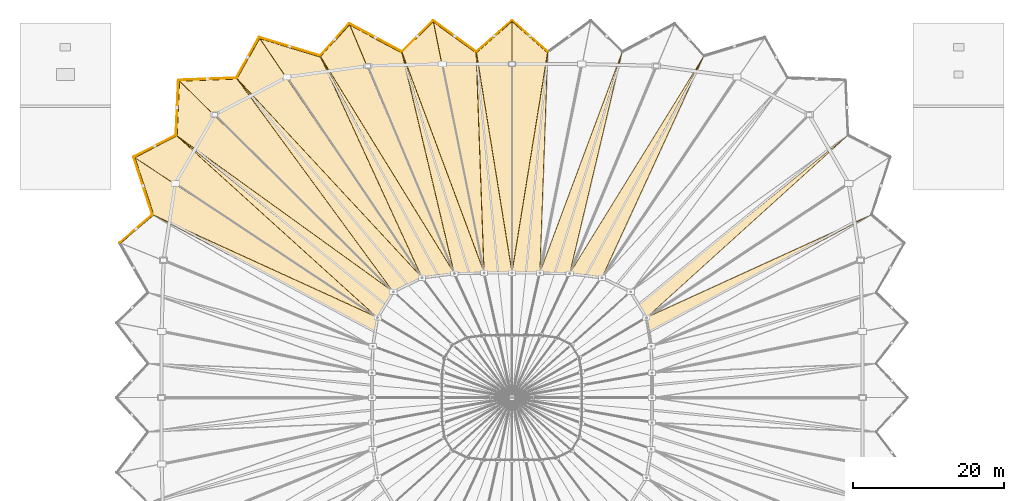
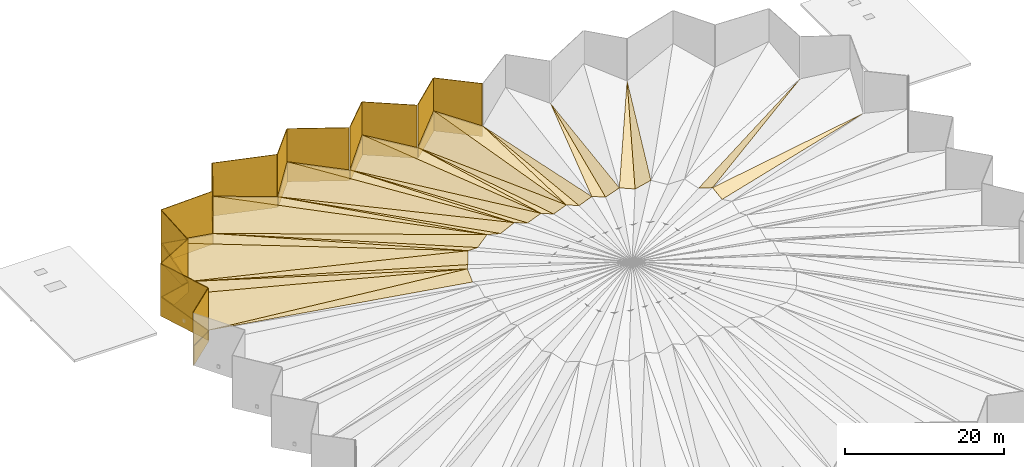
# One storey, part 40 of 41: 44 coverings, 13 shading devices.
"""IFC4 building model written with IfcOpenShell, lengths in metres."""

from ifc_helpers import new_model, si_unit, direction, frame, origin, origin_2d, place, context, subcontext, project, spatial, polyline, rectangle, outline, extrude, material, layer, layer_set, type_object, element, save


model = new_model("IFC4")

# Units and contexts
model_context = context("Model", 3, precision=1e-05, world=origin(), true_north=direction((0.0, 1.0)))
body_context = subcontext(model_context, "Body", "Model", "MODEL_VIEW")
ifc_project = project(units=[si_unit("LENGTHUNIT", "METRE"), si_unit("AREAUNIT", "SQUARE_METRE"), si_unit("VOLUMEUNIT", "CUBIC_METRE"), si_unit("PLANEANGLEUNIT", "RADIAN"), si_unit("MASSUNIT", "GRAM", prefix="KILO")], contexts=[model_context])

# Site, building, storey
site_placement = place(None, origin())
site = spatial("IfcSite", under=ifc_project, at=site_placement, CompositionType="ELEMENT")
building_placement = place(site_placement, origin())
building = spatial("IfcBuilding", under=site, at=building_placement, Name="Luwafu Chhajja Arena", CompositionType="ELEMENT")
storey_placement = place(building_placement, frame((0.0, 0.0, 29.699951171875)))
storey = spatial("IfcBuildingStorey", under=building, at=storey_placement, Name="RF", CompositionType="ELEMENT", Elevation=29.699951171875)

# Shading devices
ifc_material_1 = material(Name="Pierced buff sandstone jali", Category="masonry")
ifc_layer_1 = layer(ifc_material_1, 0.080078125, Name="Pierced buff sandstone jali")
ifc_layer_set_1 = layer_set([ifc_layer_1], Name="Pierced buff sandstone jali")
shading_device_type = type_object("IfcShadingDeviceType", Name="Pierced Buff-Sandstone Jali Screen", PredefinedType="JALOUSIE", material=ifc_layer_set_1)
for number, where, z_axis, x_axis, name in (
    (1, (101.364013671875, 97.30517578125, -1.06005859375), (0.0, 0.0, 1.0), (-0.748442472682, 0.663199717344, 0.0), "RF Crown Acoustic Jali Screen 16"),
    (2, (96.635986328125, 97.30517578125, -1.06005859375), (0.0, 0.0, 1.0), (-0.748442472682, -0.663199717344, 0.0), "RF Crown Acoustic Jali Screen 17"),
):
    element("IfcShadingDevice", number, at=place(storey_placement, frame(where, z_axis=z_axis, x_axis=x_axis)), inside=storey, type_object=shading_device_type, Name=name, PredefinedType="JALOUSIE", context=body_context, shape_type="SweptSolid", body=[
        extrude(rectangle(XDim=6.21728515625, YDim=0.080078125, at=origin_2d()), origin(), (0.0, 0.0, 1.0), 8.02001953125),
    ])
shading_device_1_placement = place(storey_placement, frame((91.429931640625, 97.276611328125, -1.06005859375), z_axis=(0.0, 0.0, 1.0), x_axis=(-0.808838836348, 0.588030387663, 0.0)))
element("IfcShadingDevice", 3, at=shading_device_1_placement, inside=storey, type_object=shading_device_type, Name="RF Crown Acoustic Jali Screen 18", PredefinedType="JALOUSIE", context=body_context, shape_type="SweptSolid", body=[
    extrude(rectangle(XDim=6.927490234375, YDim=0.080078125, at=origin_2d()), origin(), (0.0, 0.0, 1.0), 8.02001953125),
])
shading_device_2_placement = place(storey_placement, frame((86.5107421875, 97.283203125, -1.06005859375), z_axis=(0.0, 0.0, 1.0), x_axis=(-0.710108737602, -0.70409202579, 0.0)))
element("IfcShadingDevice", 4, at=shading_device_2_placement, inside=storey, type_object=shading_device_type, Name="RF Crown Acoustic Jali Screen 19", PredefinedType="JALOUSIE", context=body_context, shape_type="SweptSolid", body=[
    extrude(rectangle(XDim=5.75048828125, YDim=0.080078125, at=origin_2d()), origin(), (0.0, 0.0, 1.0), 8.02001953125),
])
shading_device_3_placement = place(storey_placement, frame((80.961181640625, 97.086181640625, -1.06005859375), z_axis=(0.0, 0.0, 1.0), x_axis=(-0.881200624672, 0.472742487067, 0.0)))
element("IfcShadingDevice", 5, at=shading_device_3_placement, inside=storey, type_object=shading_device_type, Name="RF Crown Acoustic Jali Screen 20", PredefinedType="JALOUSIE", context=body_context, shape_type="SweptSolid", body=[
    extrude(rectangle(XDim=7.780517578125, YDim=0.080078125, at=origin_2d()), origin(), (0.0, 0.0, 1.0), 8.02001953125),
])
shading_device_4_placement = place(storey_placement, frame((75.5625, 96.81640625, -1.06005859375), z_axis=(0.0, 0.0, 1.0), x_axis=(-0.670358269136, -0.742037594062, 0.0)))
element("IfcShadingDevice", 6, at=shading_device_4_placement, inside=storey, type_object=shading_device_type, Name="RF Crown Acoustic Jali Screen 21", PredefinedType="JALOUSIE", context=body_context, shape_type="SweptSolid", body=[
    extrude(rectangle(XDim=5.647705078125, YDim=0.080078125, at=origin_2d()), origin(), (0.0, 0.0, 1.0), 8.02001953125),
])
shading_device_5_placement = place(storey_placement, frame((69.604248046875, 95.909912109375, -1.06005859375), z_axis=(0.0, 0.0, 1.0), x_axis=(-0.9567402425, 0.290943479702, 0.0)))
element("IfcShadingDevice", 7, at=shading_device_5_placement, inside=storey, type_object=shading_device_type, Name="RF Crown Acoustic Jali Screen 22", PredefinedType="JALOUSIE", context=body_context, shape_type="SweptSolid", body=[
    extrude(rectangle(XDim=8.328125, YDim=0.080078125, at=origin_2d()), origin(), (0.0, 0.0, 1.0), 8.02001953125),
])
shading_device_6_placement = place(storey_placement, frame((64.0732421875, 94.449462890625, -1.06005859375), z_axis=(0.0, 0.0, 1.0), x_axis=(-0.487313131845, -0.873227296603, 0.0)))
element("IfcShadingDevice", 8, at=shading_device_6_placement, inside=storey, type_object=shading_device_type, Name="RF Crown Acoustic Jali Screen 23", PredefinedType="JALOUSIE", context=body_context, shape_type="SweptSolid", body=[
    extrude(rectangle(XDim=6.052978515625, YDim=0.080078125, at=origin_2d()), origin(), (0.0, 0.0, 1.0), 8.02001953125),
])
shading_device_7_placement = place(storey_placement, frame((58.745361328125, 91.61962890625, -1.06005859375), z_axis=(0.0, 0.0, 1.0), x_axis=(-0.999297927203, -0.037465353157, 0.0)))
element("IfcShadingDevice", 9, at=shading_device_7_placement, inside=storey, type_object=shading_device_type, Name="RF Crown Acoustic Jali Screen 24", PredefinedType="JALOUSIE", context=body_context, shape_type="SweptSolid", body=[
    extrude(rectangle(XDim=7.56298828125, YDim=0.080078125, at=origin_2d()), origin(), (0.0, 0.0, 1.0), 8.02001953125),
])
shading_device_8_placement = place(storey_placement, frame((54.7578125, 87.83642578125, -1.06005859375), z_axis=(0.0, 0.0, 1.0), x_axis=(-0.043562300264, -0.999050712424, 0.0)))
element("IfcShadingDevice", 10, at=shading_device_8_placement, inside=storey, type_object=shading_device_type, Name="RF Crown Acoustic Jali Screen 25", PredefinedType="JALOUSIE", context=body_context, shape_type="SweptSolid", body=[
    extrude(rectangle(XDim=7.18603515625, YDim=0.080078125, at=origin_2d()), origin(), (0.0, 0.0, 1.0), 8.02001953125),
])
shading_device_9_placement = place(storey_placement, frame((51.802490234375, 82.75244140625, -1.06005859375), z_axis=(0.0, 0.0, 1.0), x_axis=(-0.888491974028, -0.458892157361, 0.0)))
element("IfcShadingDevice", 11, at=shading_device_9_placement, inside=storey, type_object=shading_device_type, Name="RF Crown Acoustic Jali Screen 26", PredefinedType="JALOUSIE", context=body_context, shape_type="SweptSolid", body=[
    extrude(rectangle(XDim=6.1953125, YDim=0.080078125, at=origin_2d()), origin(), (0.0, 0.0, 1.0), 8.02001953125),
])
shading_device_10_placement = place(storey_placement, frame((50.250732421875, 77.492919921875, -1.06005859375), z_axis=(0.0, 0.0, 1.0), x_axis=(0.310226236034, -0.950662759593, 0.0)))
element("IfcShadingDevice", 12, at=shading_device_10_placement, inside=storey, type_object=shading_device_type, Name="RF Crown Acoustic Jali Screen 27", PredefinedType="JALOUSIE", context=body_context, shape_type="SweptSolid", body=[
    extrude(rectangle(XDim=7.926513671875, YDim=0.080078125, at=origin_2d()), origin(), (0.0, 0.0, 1.0), 8.02001953125),
])
shading_device_11_placement = place(storey_placement, frame((49.31640625, 71.81640625, -1.06005859375), z_axis=(0.0, 0.0, 1.0), x_axis=(-0.760438832621, -0.649409564021, 0.0)))
element("IfcShadingDevice", 13, at=shading_device_11_placement, inside=storey, type_object=shading_device_type, Name="RF Crown Acoustic Jali Screen 28", PredefinedType="JALOUSIE", context=body_context, shape_type="SweptSolid", body=[
    extrude(rectangle(XDim=5.6318359375, YDim=0.080078125, at=origin_2d()), origin(), (0.0, 0.0, 1.0), 8.02001953125),
])

# Coverings
ifc_material_2 = material(Name="White architectural roof membrane")
ifc_layer_2 = layer(ifc_material_2, 0.06005859375, Name="White architectural roof membrane")
ifc_layer_set_2 = layer_set([ifc_layer_2], Name="White architectural roof membrane")
covering_type = type_object("IfcCoveringType", Name="White Architectural Standing-Seam Roofing", PredefinedType="ROOFING", material=ifc_layer_set_2)
covering_1_placement = place(storey_placement, frame((146.504150390625, 73.677490234375, 0.465087890625), z_axis=(0.351068333593, -0.293866383655, 0.88904081667), x_axis=(-0.88796003209, -0.405767097251, 0.216517999712)))
element("IfcCovering", 14, at=covering_1_placement, inside=storey, type_object=covering_type, Name="White Folded Roof Covering 03B2", PredefinedType="ROOFING", context=body_context, shape_type="SweptSolid", body=[
    extrude(outline(polyline([(0.0, 0.0), (33.484514034123215, -8.881784197001252e-16), (33.81618181512159, 2.037246205538802), (0.0, 0.0)])), origin(), (0.0, 0.0, -1.0), 0.06005859375),
])
covering_2_placement = place(storey_placement, frame((143.40087890625, 84.19677734375, 0.465087890625), z_axis=(-0.075937057138, 0.363171699042, 0.928622571537), x_axis=(-0.764540588013, -0.619053531189, 0.179584004864)))
element("IfcCovering", 15, at=covering_2_placement, inside=storey, type_object=covering_type, Name="White Folded Roof Covering 04A2", PredefinedType="ROOFING", context=body_context, shape_type="SweptSolid", body=[
    extrude(outline(polyline([(0.0, 0.0), (36.1947602456949, 3.1086244689504383e-15), (36.58445260303647, 2.0944971878010543), (0.0, 0.0)])), origin(), (0.0, 0.0, -1.0), 0.06005859375),
])
covering_3_placement = place(storey_placement, frame((124.364013671875, 94.683837890625, 0.465087890625), z_axis=(-0.271343713857, 0.346697269379, 0.8978717015), x_axis=(-0.464499625767, -0.864213720088, 0.193325486352)))
element("IfcCovering", 16, at=covering_3_placement, inside=storey, type_object=covering_type, Name="White Folded Roof Covering 06A2", PredefinedType="ROOFING", context=body_context, shape_type="SweptSolid", body=[
    extrude(outline(polyline([(0.0, 0.0), (33.62205430160382, -4.440892098500626e-16), (33.018212560346484, 2.191279336691665), (0.0, 0.0)])), origin(), (0.0, 0.0, -1.0), 0.06005859375),
])
covering_4_placement = place(storey_placement, frame((124.364013671875, 94.683837890625, 0.465087890625), z_axis=(0.335754047359, 0.030145291139, 0.941467195979), x_axis=(-0.513182961868, -0.832276364381, 0.209664734617)))
element("IfcCovering", 17, at=covering_4_placement, inside=storey, type_object=covering_type, Name="White Folded Roof Covering 06B2", PredefinedType="ROOFING", context=body_context, shape_type="SweptSolid", body=[
    extrude(outline(polyline([(0.0, 0.0), (34.579014984309474, 1.9984014443252818e-15), (33.56057582160239, 2.0323105034596525), (0.0, 0.0)])), origin(), (0.0, 0.0, -1.0), 0.06005859375),
])
covering_5_placement = place(storey_placement, frame((113.56640625, 95.223388671875, 0.465087890625), z_axis=(-0.333332398175, 0.300011088349, 0.893802472135), x_axis=(-0.28505602519, -0.935720770618, 0.20777319831)))
element("IfcCovering", 18, at=covering_5_placement, inside=storey, type_object=covering_type, Name="White Folded Roof Covering 07A2", PredefinedType="ROOFING", context=body_context, shape_type="SweptSolid", body=[
    extrude(outline(polyline([(0.0, 0.0), (31.28411196860172, 1.3322676295501878e-15), (30.921109522814056, 2.0769203428023277), (0.0, 0.0)])), origin(), (0.0, 0.0, -1.0), 0.06005859375),
])
covering_6_placement = place(storey_placement, frame((113.56640625, 95.223388671875, 0.465087890625), z_axis=(0.356102716043, 0.097866827997, 0.929307774424), x_axis=(-0.340006739471, -0.912761225009, 0.226411932623)))
element("IfcCovering", 19, at=covering_6_placement, inside=storey, type_object=covering_type, Name="White Folded Roof Covering 07B2", PredefinedType="ROOFING", context=body_context, shape_type="SweptSolid", body=[
    extrude(outline(polyline([(0.0, 0.0), (32.02128048640214, -8.881784197001252e-16), (31.22319986061576, 1.951269363274364), (0.0, 0.0)])), origin(), (0.0, 0.0, -1.0), 0.06005859375),
])
covering_7_placement = place(storey_placement, frame((103.72802734375, 95.21044921875, 0.465087890625), z_axis=(-0.366578056869, 0.236467887715, 0.899835243976), x_axis=(-0.096077224788, -0.971612604129, 0.216189996008)))
element("IfcCovering", 20, at=covering_7_placement, inside=storey, type_object=covering_type, Name="White Folded Roof Covering 08A2", PredefinedType="ROOFING", context=body_context, shape_type="SweptSolid", body=[
    extrude(outline(polyline([(0.0, 0.0), (30.06614607532005, 4.440892098500626e-16), (30.05367983811132, 1.9865739713684802), (0.0, 0.0)])), origin(), (0.0, 0.0, -1.0), 0.06005859375),
])
covering_8_placement = place(storey_placement, frame((103.72802734375, 95.21044921875, 0.465087890625), z_axis=(0.413205616614, 0.155804722874, 0.897210124067), x_axis=(-0.729479958319, 0.646384182833, 0.223710702905)))
element("IfcCovering", 21, at=covering_8_placement, inside=storey, type_object=covering_type, Name="White Folded Roof Covering 08B1", PredefinedType="ROOFING", context=body_context, shape_type="SweptSolid", body=[
    extrude(outline(polyline([(0.0, 0.0), (6.481367020208133, 4.440892098500626e-16), (-13.81026856274685, 27.15591221721757), (0.0, 0.0)])), origin(), (0.0, 0.0, -1.0), 0.06005859375),
])
covering_9_placement = place(storey_placement, frame((103.72802734375, 95.21044921875, 0.465087890625), z_axis=(0.372481716463, 0.166318941701, 0.913014447056), x_axis=(-0.155191130813, -0.958793660914, 0.237971487175)))
element("IfcCovering", 22, at=covering_9_placement, inside=storey, type_object=covering_type, Name="White Folded Roof Covering 08B2", PredefinedType="ROOFING", context=body_context, shape_type="SweptSolid", body=[
    extrude(outline(polyline([(0.0, 0.0), (30.465834735395322, -4.440892098500626e-16), (30.004011189204398, 1.9319555845257934), (0.0, 0.0)])), origin(), (0.0, 0.0, -1.0), 0.06005859375),
])
covering_10_placement = place(storey_placement, frame((99.0, 99.39990234375, 1.9150390625), z_axis=(-0.413205616614, 0.155804722874, 0.897210124067), x_axis=(-0.729479958319, -0.646384182833, -0.223710702905)))
element("IfcCovering", 23, at=covering_10_placement, inside=storey, type_object=covering_type, Name="White Folded Roof Covering 09A1", PredefinedType="ROOFING", context=body_context, shape_type="SweptSolid", body=[
    extrude(outline(polyline([(0.0, 0.0), (6.481367020208133, -4.440892098500626e-16), (20.291635582954985, 27.15591221721757), (0.0, 0.0)])), origin(), (0.0, 0.0, -1.0), 0.06005859375),
])
covering_11_placement = place(storey_placement, frame((94.27197265625, 95.21044921875, 0.465087890625), z_axis=(-0.372481716463, 0.166318941701, 0.913014447056), x_axis=(0.096077224788, -0.971612604129, 0.216189996008)))
element("IfcCovering", 24, at=covering_11_placement, inside=storey, type_object=covering_type, Name="White Folded Roof Covering 09A2", PredefinedType="ROOFING", context=body_context, shape_type="SweptSolid", body=[
    extrude(outline(polyline([(0.0, 0.0), (30.06614607532005, -8.881784197001252e-16), (30.402873850187095, 1.9576383154275057), (0.0, 0.0)])), origin(), (0.0, 0.0, -1.0), 0.06005859375),
])
covering_12_placement = place(storey_placement, frame((94.27197265625, 95.21044921875, 0.465087890625), z_axis=(0.396839891971, 0.234476980596, 0.887433741589), x_axis=(-0.792155582605, 0.575896632212, 0.202070784515)))
element("IfcCovering", 25, at=covering_12_placement, inside=storey, type_object=covering_type, Name="White Folded Roof Covering 09B1", PredefinedType="ROOFING", context=body_context, shape_type="SweptSolid", body=[
    extrude(outline(polyline([(0.0, 0.0), (7.175461684635255, 1.1102230246251565e-16), (-16.19074539026761, 25.39743907686257), (0.0, 0.0)])), origin(), (0.0, 0.0, -1.0), 0.06005859375),
])
covering_13_placement = place(storey_placement, frame((94.27197265625, 95.21044921875, 0.465087890625), z_axis=(0.366578056869, 0.236467887715, 0.899835243976), x_axis=(0.034830605988, -0.969971988577, 0.240709721995)))
element("IfcCovering", 26, at=covering_13_placement, inside=storey, type_object=covering_type, Name="White Folded Roof Covering 09B2", PredefinedType="ROOFING", context=body_context, shape_type="SweptSolid", body=[
    extrude(outline(polyline([(0.0, 0.0), (30.11926539534817, 0.0), (30.000676186913708, 1.9830703846388729), (0.0, 0.0)])), origin(), (0.0, 0.0, -1.0), 0.06005859375),
])
covering_14_placement = place(storey_placement, frame((88.587890625, 99.3427734375, 1.9150390625), z_axis=(-0.397267920051, 0.078812957808, 0.914312155328), x_axis=(-0.689232259532, -0.683440051428, -0.240558908637)))
element("IfcCovering", 27, at=covering_14_placement, inside=storey, type_object=covering_type, Name="White Folded Roof Covering 10A1", PredefinedType="ROOFING", context=body_context, shape_type="SweptSolid", body=[
    extrude(outline(polyline([(0.0, 0.0), (6.02742662947628, -1.1102230246251565e-16), (16.75482962557586, 30.17093351137999), (0.0, 0.0)])), origin(), (0.0, 0.0, -1.0), 0.06005859375),
])
covering_15_placement = place(storey_placement, frame((84.43359375, 95.223388671875, 0.465087890625), z_axis=(-0.356102716043, 0.097866827997, 0.929307774424), x_axis=(0.28505602519, -0.935720770618, 0.20777319831)))
element("IfcCovering", 28, at=covering_15_placement, inside=storey, type_object=covering_type, Name="White Folded Roof Covering 10A2", PredefinedType="ROOFING", context=body_context, shape_type="SweptSolid", body=[
    extrude(outline(polyline([(0.0, 0.0), (31.28411196860172, -1.5543122344752192e-15), (31.958933065551776, 1.9972484323237887), (0.0, 0.0)])), origin(), (0.0, 0.0, -1.0), 0.06005859375),
])
covering_16_placement = place(storey_placement, frame((84.43359375, 95.223388671875, 0.465087890625), z_axis=(0.347305866704, 0.301848847141, 0.887843403102), x_axis=(-0.866654918212, 0.464937741322, 0.180947919116)))
element("IfcCovering", 29, at=covering_16_placement, inside=storey, type_object=covering_type, Name="White Folded Roof Covering 10B1", PredefinedType="ROOFING", context=body_context, shape_type="SweptSolid", body=[
    extrude(outline(polyline([(0.0, 0.0), (8.013085637880708, 1.1102230246251565e-16), (-18.34087148726201, 24.980813543997076), (0.0, 0.0)])), origin(), (0.0, 0.0, -1.0), 0.06005859375),
])
covering_17_placement = place(storey_placement, frame((84.43359375, 95.223388671875, 0.465087890625), z_axis=(0.333332398175, 0.300011088349, 0.893802472135), x_axis=(0.224187752015, -0.946050570649, 0.233940525822)))
element("IfcCovering", 30, at=covering_17_placement, inside=storey, type_object=covering_type, Name="White Folded Roof Covering 10B2", PredefinedType="ROOFING", context=body_context, shape_type="SweptSolid", body=[
    extrude(outline(polyline([(0.0, 0.0), (30.99078269796051, -4.440892098500626e-16), (31.21377933345233, 2.096578495204338), (0.0, 0.0)])), origin(), (0.0, 0.0, -1.0), 0.06005859375),
])
covering_18_placement = place(storey_placement, frame((77.489013671875, 98.948974609375, 1.9150390625), z_axis=(-0.362833494899, 0.011009941503, 0.931788944004), x_axis=(-0.649985807312, -0.719506529827, -0.244599271932)))
element("IfcCovering", 31, at=covering_18_placement, inside=storey, type_object=covering_type, Name="White Folded Roof Covering 11A1", PredefinedType="ROOFING", context=body_context, shape_type="SweptSolid", body=[
    extrude(outline(polyline([(0.0, 0.0), (5.927863809344509, -5.551115123125783e-17), (13.327178104342902, 33.778076103427374), (0.0, 0.0)])), origin(), (0.0, 0.0, -1.0), 0.06005859375),
])
covering_19_placement = place(storey_placement, frame((73.635986328125, 94.683837890625, 0.465087890625), z_axis=(-0.335754047359, 0.030145291139, 0.941467195979), x_axis=(0.464499625767, -0.864213720088, 0.193325486352)))
element("IfcCovering", 32, at=covering_19_placement, inside=storey, type_object=covering_type, Name="White Folded Roof Covering 11A2", PredefinedType="ROOFING", context=body_context, shape_type="SweptSolid", body=[
    extrude(outline(polyline([(0.0, 0.0), (33.62205430160382, 1.9984014443252818e-15), (34.515786685939844, 2.0901547157559786), (0.0, 0.0)])), origin(), (0.0, 0.0, -1.0), 0.06005859375),
])
covering_20_placement = place(storey_placement, frame((73.635986328125, 94.683837890625, 0.465087890625), z_axis=(0.26675234631, 0.345079364923, 0.899868555758), x_axis=(-0.942886814587, 0.286737167425, 0.169547196071)))
element("IfcCovering", 33, at=covering_20_placement, inside=storey, type_object=covering_type, Name="White Folded Roof Covering 11B1", PredefinedType="ROOFING", context=body_context, shape_type="SweptSolid", body=[
    extrude(outline(polyline([(0.0, 0.0), (8.551902983216202, 0.0), (-19.901160137188864, 26.437622642847423), (0.0, 0.0)])), origin(), (0.0, 0.0, -1.0), 0.06005859375),
])
covering_21_placement = place(storey_placement, frame((73.635986328125, 94.683837890625, 0.465087890625), z_axis=(0.271343713857, 0.346697269379, 0.8978717015), x_axis=(0.407657943727, -0.886460882412, 0.219093826636)))
element("IfcCovering", 34, at=covering_21_placement, inside=storey, type_object=covering_type, Name="White Folded Roof Covering 11B2", PredefinedType="ROOFING", context=body_context, shape_type="SweptSolid", body=[
    extrude(outline(polyline([(0.0, 0.0), (33.0908456496904, 1.7763568394002505e-15), (33.54825523040851, 2.226456030413321), (0.0, 0.0)])), origin(), (0.0, 0.0, -1.0), 0.06005859375),
])
covering_22_placement = place(storey_placement, frame((65.572509765625, 97.135986328125, 1.9150390625), z_axis=(-0.34299732248, -0.061543246292, 0.937318124015), x_axis=(-0.474313891171, -0.849949173765, -0.229374660017)))
element("IfcCovering", 35, at=covering_22_placement, inside=storey, type_object=covering_type, Name="White Folded Roof Covering 12A1", PredefinedType="ROOFING", context=body_context, shape_type="SweptSolid", body=[
    extrude(outline(polyline([(0.0, 0.0), (6.32132238046018, 3.3306690738754696e-16), (15.46301268064767, 35.62891986543352), (0.0, 0.0)])), origin(), (0.0, 0.0, -1.0), 0.06005859375),
])
covering_23_placement = place(storey_placement, frame((62.57421875, 91.76318359375, 0.465087890625), z_axis=(-0.340549010201, -0.058977332985, 0.938375215916), x_axis=(0.627424833097, -0.757566209461, 0.180087526212)))
element("IfcCovering", 36, at=covering_23_placement, inside=storey, type_object=covering_type, Name="White Folded Roof Covering 12A2", PredefinedType="ROOFING", context=body_context, shape_type="SweptSolid", body=[
    extrude(outline(polyline([(0.0, 0.0), (36.093560374368714, -8.881784197001252e-16), (36.71952532671167, 2.160299077212619), (0.0, 0.0)])), origin(), (0.0, 0.0, -1.0), 0.06005859375),
])
covering_24_placement = place(storey_placement, frame((62.57421875, 91.76318359375, 0.465087890625), z_axis=(0.161121281177, 0.35438784221, 0.921113016978), x_axis=(-0.981876238956, -0.036813315597, 0.185913504532)))
element("IfcCovering", 37, at=covering_24_placement, inside=storey, type_object=covering_type, Name="White Folded Roof Covering 12B1", PredefinedType="ROOFING", context=body_context, shape_type="SweptSolid", body=[
    extrude(outline(polyline([(0.0, 0.0), (7.799063201578999, -1.1102230246251565e-16), (-17.975631437643397, 30.96746299609228), (0.0, 0.0)])), origin(), (0.0, 0.0, -1.0), 0.06005859375),
])
covering_25_placement = place(storey_placement, frame((62.57421875, 91.76318359375, 0.465087890625), z_axis=(0.180395346816, 0.366395927762, 0.912804219407), x_axis=(0.579230615879, -0.789616950321, 0.202477073749)))
element("IfcCovering", 38, at=covering_25_placement, inside=storey, type_object=covering_type, Name="White Folded Roof Covering 12B2", PredefinedType="ROOFING", context=body_context, shape_type="SweptSolid", body=[
    extrude(outline(polyline([(0.0, 0.0), (35.806523009032, 0.0), (36.02405817413662, 2.2388240584333343), (0.0, 0.0)])), origin(), (0.0, 0.0, -1.0), 0.06005859375),
])
covering_26_placement = place(storey_placement, frame((54.91650390625, 91.47607421875, 1.9150390625), z_axis=(-0.353422787371, -0.167898181303, 0.920273075822), x_axis=(-0.042721675449, -0.979838057845, -0.195172331149)))
element("IfcCovering", 39, at=covering_26_placement, inside=storey, type_object=covering_type, Name="White Folded Roof Covering 13A1", PredefinedType="ROOFING", context=body_context, shape_type="SweptSolid", body=[
    extrude(outline(polyline([(0.0, 0.0), (7.429081588250116, -5.551115123125783e-17), (25.076852375687473, 31.535220358949157), (0.0, 0.0)])), origin(), (0.0, 0.0, -1.0), 0.06005859375),
])
covering_27_placement = place(storey_placement, frame((54.59912109375, 84.19677734375, 0.465087890625), z_axis=(-0.361773439984, -0.18152691541, 0.914422198497), x_axis=(0.764540588013, -0.619053531189, 0.179584004864)))
element("IfcCovering", 40, at=covering_27_placement, inside=storey, type_object=covering_type, Name="White Folded Roof Covering 13A2", PredefinedType="ROOFING", context=body_context, shape_type="SweptSolid", body=[
    extrude(outline(polyline([(0.0, 0.0), (36.1947602456949, -1.7763568394002505e-15), (36.07478168718175, 2.1269845029019714), (0.0, 0.0)])), origin(), (0.0, 0.0, -1.0), 0.06005859375),
])
covering_28_placement = place(storey_placement, frame((54.59912109375, 84.19677734375, 0.465087890625), z_axis=(0.061853072493, 0.349499184642, 0.934892783884), x_axis=(-0.865832474481, -0.447164113403, 0.224451290526)))
element("IfcCovering", 41, at=covering_28_placement, inside=storey, type_object=covering_type, Name="White Folded Roof Covering 13B1", PredefinedType="ROOFING", context=body_context, shape_type="SweptSolid", body=[
    extrude(outline(polyline([(0.0, 0.0), (6.459981443988203, 4.996003610813204e-16), (-10.65010601496204, 35.06257738107109), (0.0, 0.0)])), origin(), (0.0, 0.0, -1.0), 0.06005859375),
])
covering_29_placement = place(storey_placement, frame((54.59912109375, 84.19677734375, 0.465087890625), z_axis=(0.075937057138, 0.363171699042, 0.928622571537), x_axis=(0.726704981617, -0.65784206445, 0.197847638177)))
element("IfcCovering", 42, at=covering_29_placement, inside=storey, type_object=covering_type, Name="White Folded Roof Covering 13B2", PredefinedType="ROOFING", context=body_context, shape_type="SweptSolid", body=[
    extrude(outline(polyline([(0.0, 0.0), (36.64435960326676, -3.9968028886505635e-15), (36.13558826032391, 2.068799246828231), (0.0, 0.0)])), origin(), (0.0, 0.0, -1.0), 0.06005859375),
])
covering_30_placement = place(storey_placement, frame((49.005859375, 81.30810546875, 1.9150390625), z_axis=(-0.3473951664, -0.283222007204, 0.893924992937), x_axis=(0.305276328373, -0.935524232111, -0.177766066694)))
element("IfcCovering", 43, at=covering_30_placement, inside=storey, type_object=covering_type, Name="White Folded Roof Covering 14A1", PredefinedType="ROOFING", context=body_context, shape_type="SweptSolid", body=[
    extrude(outline(polyline([(0.0, 0.0), (8.156512650831873, 3.3306690738754696e-16), (28.655349656733165, 26.476600263381375), (0.0, 0.0)])), origin(), (0.0, 0.0, -1.0), 0.06005859375),
])
covering_31_placement = place(storey_placement, frame((51.495849609375, 73.677490234375, 0.465087890625), z_axis=(-0.351068333593, -0.293866383655, 0.88904081667), x_axis=(0.868485729871, -0.457076891432, 0.191867799093)))
element("IfcCovering", 44, at=covering_31_placement, inside=storey, type_object=covering_type, Name="White Folded Roof Covering 14A2", PredefinedType="ROOFING", context=body_context, shape_type="SweptSolid", body=[
    extrude(outline(polyline([(0.0, 0.0), (33.87749289211558, 0.0), (33.42391416551456, 2.013614153136003), (0.0, 0.0)])), origin(), (0.0, 0.0, -1.0), 0.06005859375),
])
covering_32_placement = place(storey_placement, frame((103.72802734375, 95.21044921875, -1.099853515625), z_axis=(0.663192402205, 0.74844895461, 0.0), x_axis=(-0.74844895461, 0.663192402205, 0.0)))
element("IfcCovering", 45, at=covering_32_placement, inside=storey, type_object=covering_type, Name="RF Pleated Rim Eave Fascia 16", PredefinedType="ROOFING", context=body_context, shape_type="SweptSolid", body=[
    extrude(outline(polyline([(0.0, 0.0), (6.317100604693577, 0.0), (6.317100604693577, 2.9499511718750004), (0.0, 1.5000000000000004), (0.0, 0.0)])), origin(), (0.0, 0.0, -1.0), 0.139892578125),
])
covering_33_placement = place(storey_placement, frame((99.0, 99.39990234375, -1.099853515625), z_axis=(-0.663192402205, 0.74844895461, 0.0), x_axis=(-0.74844895461, -0.663192402205, 0.0)))
element("IfcCovering", 46, at=covering_33_placement, inside=storey, type_object=covering_type, Name="RF Pleated Rim Eave Fascia 17", PredefinedType="ROOFING", context=body_context, shape_type="SweptSolid", body=[
    extrude(outline(polyline([(0.0, 0.0), (6.317100604693577, 0.0), (6.317100604693577, 1.5000000000000004), (0.0, 2.9499511718750004), (0.0, 0.0)])), origin(), (0.0, 0.0, -1.0), 0.139892578125),
])
covering_34_placement = place(storey_placement, frame((94.27197265625, 95.21044921875, -1.099853515625), z_axis=(0.588027090371, 0.808841233488, 0.0), x_axis=(-0.808841233488, 0.588027090371, 0.0)))
element("IfcCovering", 47, at=covering_34_placement, inside=storey, type_object=covering_type, Name="RF Pleated Rim Eave Fascia 18", PredefinedType="ROOFING", context=body_context, shape_type="SweptSolid", body=[
    extrude(outline(polyline([(0.0, 0.0), (7.0274385082223905, 0.0), (7.0274385082223905, 2.949951171875), (0.0, 1.5), (0.0, 0.0)])), origin(), (0.0, 0.0, -1.0), 0.139892578125),
])
covering_35_placement = place(storey_placement, frame((88.587890625, 99.3427734375, -1.099853515625), z_axis=(-0.704116763638, 0.710084208502, 0.0), x_axis=(-0.710084208502, -0.704116763638, 0.0)))
element("IfcCovering", 48, at=covering_35_placement, inside=storey, type_object=covering_type, Name="RF Pleated Rim Eave Fascia 19", PredefinedType="ROOFING", context=body_context, shape_type="SweptSolid", body=[
    extrude(outline(polyline([(0.0, 0.0), (5.8504284777183715, 0.0), (5.8504284777183715, 1.5), (0.0, 2.949951171875), (0.0, 0.0)])), origin(), (0.0, 0.0, -1.0), 0.139892578125),
])
covering_36_placement = place(storey_placement, frame((84.43359375, 95.223388671875, -1.099853515625), z_axis=(0.472741435731, 0.881201188687, 0.0), x_axis=(-0.881201188687, 0.472741435731, 0.0)))
element("IfcCovering", 49, at=covering_36_placement, inside=storey, type_object=covering_type, Name="RF Pleated Rim Eave Fascia 20", PredefinedType="ROOFING", context=body_context, shape_type="SweptSolid", body=[
    extrude(outline(polyline([(0.0, 0.0), (7.880811064807251, 0.0), (7.880811064807251, 2.9499511718749996), (0.0, 1.4999999999999998), (0.0, 0.0)])), origin(), (0.0, 0.0, -1.0), 0.139892578125),
])
covering_37_placement = place(storey_placement, frame((77.489013671875, 98.948974609375, -1.099853515625), z_axis=(-0.742046752654, 0.670348131104, 0.0), x_axis=(-0.670348131104, -0.742046752654, 0.0)))
element("IfcCovering", 50, at=covering_37_placement, inside=storey, type_object=covering_type, Name="RF Pleated Rim Eave Fascia 21", PredefinedType="ROOFING", context=body_context, shape_type="SweptSolid", body=[
    extrude(outline(polyline([(0.0, 0.0), (5.747800530752151, 0.0), (5.747800530752151, 1.5), (0.0, 2.949951171875), (0.0, 0.0)])), origin(), (0.0, 0.0, -1.0), 0.139892578125),
])
covering_38_placement = place(storey_placement, frame((73.635986328125, 94.683837890625, -1.099853515625), z_axis=(0.290949514446, 0.956738407321, 0.0), x_axis=(-0.956738407321, 0.290949514446, 0.0)))
element("IfcCovering", 51, at=covering_38_placement, inside=storey, type_object=covering_type, Name="RF Pleated Rim Eave Fascia 22", PredefinedType="ROOFING", context=body_context, shape_type="SweptSolid", body=[
    extrude(outline(polyline([(0.0, 0.0), (8.428089121118767, 0.0), (8.428089121118767, 2.949951171875), (0.0, 1.5), (0.0, 0.0)])), origin(), (0.0, 0.0, -1.0), 0.139892578125),
])
covering_39_placement = place(storey_placement, frame((65.572509765625, 97.135986328125, -1.099853515625), z_axis=(-0.87323108, 0.487306352228, 0.0), x_axis=(-0.487306352228, -0.87323108, 0.0)))
element("IfcCovering", 52, at=covering_39_placement, inside=storey, type_object=covering_type, Name="RF Pleated Rim Eave Fascia 23", PredefinedType="ROOFING", context=body_context, shape_type="SweptSolid", body=[
    extrude(outline(polyline([(0.0, 0.0), (6.152784592108283, 0.0), (6.152784592108283, 1.4999999999999998), (0.0, 2.9499511718749996), (0.0, 0.0)])), origin(), (0.0, 0.0, -1.0), 0.139892578125),
])
covering_40_placement = place(storey_placement, frame((62.57421875, 91.76318359375, -1.099853515625), z_axis=(-0.037466502319, 0.999297884119, 0.0), x_axis=(-0.999297884119, -0.037466502319, 0.0)))
element("IfcCovering", 53, at=covering_40_placement, inside=storey, type_object=covering_type, Name="RF Pleated Rim Eave Fascia 24", PredefinedType="ROOFING", context=body_context, shape_type="SweptSolid", body=[
    extrude(outline(polyline([(0.0, 0.0), (7.663095224607481, 0.0), (7.663095224607481, 2.949951171875), (0.0, 1.5), (0.0, 0.0)])), origin(), (0.0, 0.0, -1.0), 0.139892578125),
])
covering_41_placement = place(storey_placement, frame((54.91650390625, 91.47607421875, -1.099853515625), z_axis=(-0.999050840313, 0.043559367199, 0.0), x_axis=(-0.043559367199, -0.999050840313, 0.0)))
element("IfcCovering", 54, at=covering_41_placement, inside=storey, type_object=covering_type, Name="RF Pleated Rim Eave Fascia 25", PredefinedType="ROOFING", context=body_context, shape_type="SweptSolid", body=[
    extrude(outline(polyline([(0.0, 0.0), (7.286212654325646, 0.0), (7.286212654325646, 1.5), (0.0, 2.949951171875), (0.0, 0.0)])), origin(), (0.0, 0.0, -1.0), 0.139892578125),
])
covering_42_placement = place(storey_placement, frame((54.59912109375, 84.19677734375, -1.099853515625), z_axis=(-0.458872092891, 0.888502336725, 0.0), x_axis=(-0.888502336725, -0.458872092891, 0.0)))
element("IfcCovering", 55, at=covering_42_placement, inside=storey, type_object=covering_type, Name="RF Pleated Rim Eave Fascia 26", PredefinedType="ROOFING", context=body_context, shape_type="SweptSolid", body=[
    extrude(outline(polyline([(0.0, 0.0), (6.295157015980636, 0.0), (6.295157015980636, 2.949951171875), (0.0, 1.5), (0.0, 0.0)])), origin(), (0.0, 0.0, -1.0), 0.139892578125),
])
covering_43_placement = place(storey_placement, frame((49.005859375, 81.30810546875, -1.099853515625), z_axis=(-0.950665699066, -0.310217228116, 0.0), x_axis=(0.310217228116, -0.950665699066, 0.0)))
element("IfcCovering", 56, at=covering_43_placement, inside=storey, type_object=covering_type, Name="RF Pleated Rim Eave Fascia 27", PredefinedType="ROOFING", context=body_context, shape_type="SweptSolid", body=[
    extrude(outline(polyline([(0.0, 0.0), (8.02660203463201, 0.0), (8.02660203463201, 1.5000000000000004), (0.0, 2.9499511718750004), (0.0, 0.0)])), origin(), (0.0, 0.0, -1.0), 0.139892578125),
])
covering_44_placement = place(storey_placement, frame((51.495849609375, 73.677490234375, -1.099853515625), z_axis=(-0.649401190824, 0.760445983194, 0.0), x_axis=(-0.760445983194, -0.649401190824, 0.0)))
element("IfcCovering", 57, at=covering_44_placement, inside=storey, type_object=covering_type, Name="RF Pleated Rim Eave Fascia 28", PredefinedType="ROOFING", context=body_context, shape_type="SweptSolid", body=[
    extrude(outline(polyline([(0.0, 0.0), (5.731692552068076, 0.0), (5.731692552068076, 2.9499511718750004), (0.0, 1.5000000000000004), (0.0, 0.0)])), origin(), (0.0, 0.0, -1.0), 0.139892578125),
])

save(model, "model.ifc")
